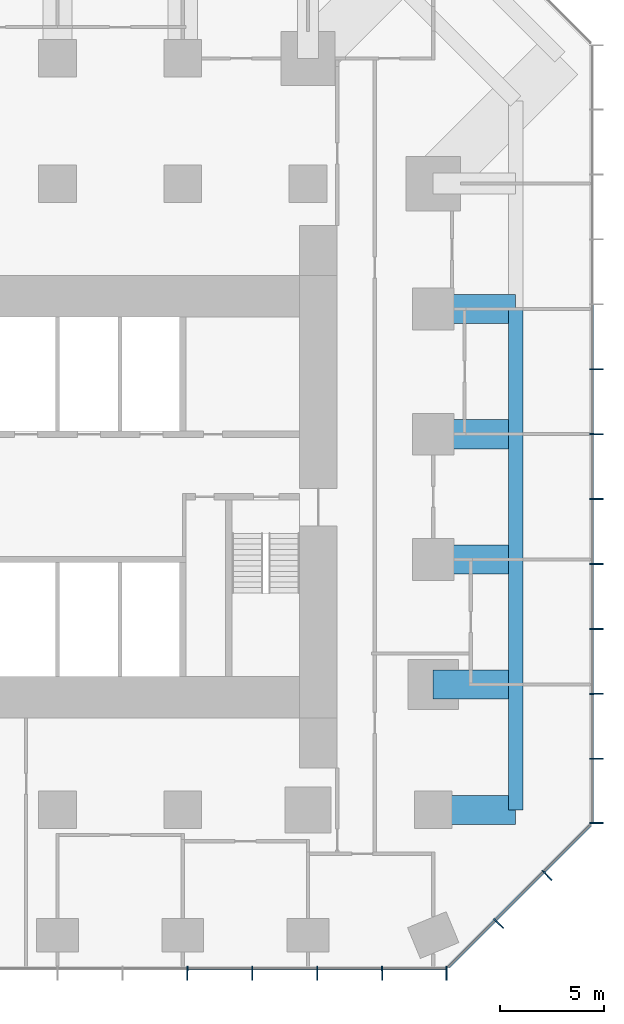
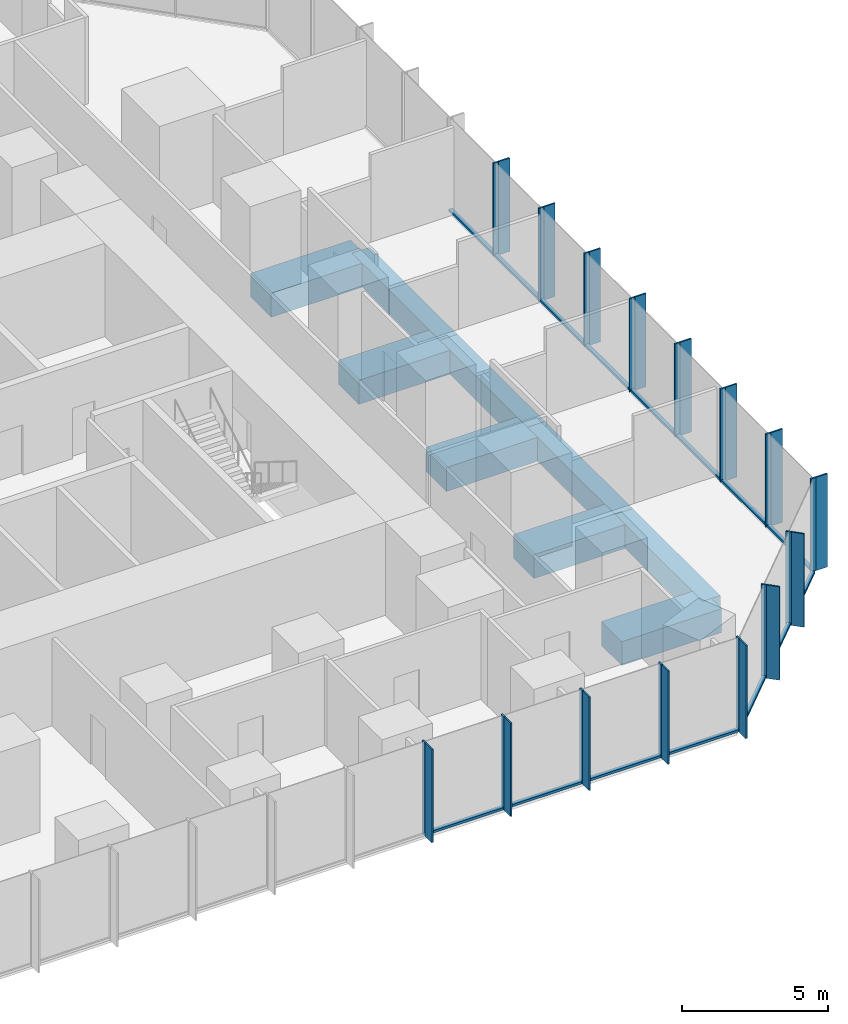
# One storey, part 4 of 12: 45 members, 9 beams, 3 elements without a shape of their own.
"""IFC4 building model written with IfcOpenShell, lengths in metres."""

from ifc_helpers import new_model, si_unit, direction, frame, origin, origin_2d, place, context, subcontext, project, spatial, rectangle, extrude, material, layer, layer_set, material_profile, profile_set, type_object, element, aggregate, save


model = new_model("IFC4")

# Units and contexts
model_context = context("Model", 3, precision=1e-05, world=origin(), true_north=direction((0.0, 1.0)))
body_context = subcontext(model_context, "Body", "Model", "MODEL_VIEW")
ifc_project = project(units=[si_unit("LENGTHUNIT", "METRE"), si_unit("AREAUNIT", "SQUARE_METRE"), si_unit("VOLUMEUNIT", "CUBIC_METRE"), si_unit("PLANEANGLEUNIT", "RADIAN"), si_unit("MASSUNIT", "GRAM", prefix="KILO")], contexts=[model_context])

# Site, building, storey
site_placement = place(None, origin())
site = spatial("IfcSite", under=ifc_project, at=site_placement, CompositionType="ELEMENT")
building_placement = place(site_placement, origin())
building = spatial("IfcBuilding", under=site, at=building_placement, Name="Highveld Stack Headquarters", CompositionType="ELEMENT")
storey_placement = place(building_placement, frame((0.0, 0.0, 76.699951171875)))
storey = spatial("IfcBuildingStorey", under=building, at=storey_placement, Name="L18", CompositionType="ELEMENT", Elevation=76.699951171875)

# Beams
ifc_material_1 = material(Name="Concrete C60/75", Category="concrete")
ifc_material_profile_1 = material_profile(ifc_material_1, rectangle(XDim=1.39990234375, YDim=1.0, at=origin_2d()), Name="RC 1400x1000")
ifc_profile_set_1 = profile_set([ifc_material_profile_1], Name="Concrete C60/75")
beam_type_1 = type_object("IfcBeamType", Name="CANTILEVER RIB RC 1400x1000", PredefinedType="USERDEFINED", material=ifc_profile_set_1)
for number, where, z_axis, x_axis, name in (
    (1, (24.0, -12.0, -0.75), (1.0, 0.0, 0.0), (0.0, 1.0, 0.0), "Cantilever rib 10/C L18"),
    (2, (24.0, -6.0, -0.75), (1.0, 0.0, 0.0), (0.0, 1.0, 0.0), "Cantilever rib 10/D L18"),
    (3, (24.0, 0.0, -0.75), (1.0, 0.0, 0.0), (0.0, 1.0, 0.0), "Cantilever rib 10/E L18"),
    (4, (24.0, 6.0, -0.75), (1.0, 0.0, 0.0), (0.0, 1.0, 0.0), "Cantilever rib 10/F L18"),
    (5, (24.0, 12.0, -0.75), (1.0, 0.0, 0.0), (0.0, 1.0, 0.0), "Cantilever rib 10/G L18"),
):
    element("IfcBeam", number, at=place(storey_placement, frame(where, z_axis=z_axis, x_axis=x_axis)), inside=storey, type_object=beam_type_1, Name=name, ObjectType="CANTILEVER RIB", PredefinedType="USERDEFINED", context=body_context, shape_type="SweptSolid", body=[
        extrude(rectangle(XDim=1.39990234375, YDim=1.0, at=origin_2d()), origin(), (0.0, 0.0, 1.0), 3.949951171875),
    ])

# Curtain wall, members
ifc_material_2 = material(Name="Aluminium bronze anodised", Category="aluminium")
ifc_layer_1 = layer(ifc_material_2, 0.199951171875)
ifc_layer_set_1 = layer_set([ifc_layer_1], Name="Aluminium bronze anodised")
curtain_wall_type_1 = type_object("IfcCurtainWallType", Name="CW1 TOWER UNITISED CURTAIN WALL", PredefinedType="NOTDEFINED", material=ifc_layer_set_1)
curtain_wall_1_placement = place(storey_placement, origin())
curtain_wall_1 = element("IfcCurtainWall", 6, at=curtain_wall_1_placement, inside=storey, type_object=curtain_wall_type_1, Name="Curtain wall CW1 L18 S", PredefinedType="NOTDEFINED")
ifc_material_3 = material(Name="Aluminium bronze anodised", Category="aluminium")
ifc_material_profile_2 = material_profile(ifc_material_3, rectangle(XDim=0.449951171875, YDim=0.06005859375, at=origin_2d()), Name="FIN 450x60")
ifc_profile_set_2 = profile_set([ifc_material_profile_2], Name="Aluminium bronze anodised")
member_type_1 = type_object("IfcMemberType", Name="CW1 BRONZE FIN 450x60", PredefinedType="USERDEFINED", material=ifc_profile_set_2)
member_1_placement = place(storey_placement, frame((12.220947265625, -19.925048828125, 0.0), z_axis=(0.0, 0.0, 1.0), x_axis=(0.0, 1.0, 0.0)))
member_1 = element("IfcMember", 7, at=member_1_placement, type_object=member_type_1, Name="CW1 fin L18 9", ObjectType="FIN", PredefinedType="USERDEFINED", context=body_context, shape_type="SweptSolid", body=[
    extrude(rectangle(XDim=0.449951171875, YDim=0.06005859375, at=origin_2d()), origin(), (0.0, 0.0, 1.0), 3.900146484375),
])
member_2_placement = place(storey_placement, frame((15.331298828125, -19.925048828125, 0.0), z_axis=(0.0, 0.0, 1.0), x_axis=(0.0, 1.0, 0.0)))
member_2 = element("IfcMember", 8, at=member_2_placement, type_object=member_type_1, Name="CW1 fin L18 10", ObjectType="FIN", PredefinedType="USERDEFINED", context=body_context, shape_type="SweptSolid", body=[
    extrude(rectangle(XDim=0.449951171875, YDim=0.06005859375, at=origin_2d()), origin(), (0.0, 0.0, 1.0), 3.900146484375),
])
member_3_placement = place(storey_placement, frame((18.44189453125, -19.925048828125, 0.0), z_axis=(0.0, 0.0, 1.0), x_axis=(0.0, 1.0, 0.0)))
member_3 = element("IfcMember", 9, at=member_3_placement, type_object=member_type_1, Name="CW1 fin L18 11", ObjectType="FIN", PredefinedType="USERDEFINED", context=body_context, shape_type="SweptSolid", body=[
    extrude(rectangle(XDim=0.449951171875, YDim=0.06005859375, at=origin_2d()), origin(), (0.0, 0.0, 1.0), 3.900146484375),
])
member_4_placement = place(storey_placement, frame((21.55224609375, -19.925048828125, 0.0), z_axis=(0.0, 0.0, 1.0), x_axis=(0.0, 1.0, 0.0)))
member_4 = element("IfcMember", 10, at=member_4_placement, type_object=member_type_1, Name="CW1 fin L18 12", ObjectType="FIN", PredefinedType="USERDEFINED", context=body_context, shape_type="SweptSolid", body=[
    extrude(rectangle(XDim=0.449951171875, YDim=0.06005859375, at=origin_2d()), origin(), (0.0, 0.0, 1.0), 3.900146484375),
])
member_5_placement = place(storey_placement, frame((24.630126953125, -19.925048828125, 0.0), z_axis=(0.0, 0.0, 1.0), x_axis=(0.0, 1.0, 0.0)))
member_5 = element("IfcMember", 11, at=member_5_placement, type_object=member_type_1, Name="CW1 fin L18 13", ObjectType="FIN", PredefinedType="USERDEFINED", context=body_context, shape_type="SweptSolid", body=[
    extrude(rectangle(XDim=0.449951171875, YDim=0.06005859375, at=origin_2d()), origin(), (0.0, 0.0, 1.0), 3.900146484375),
])

curtain_wall_2_placement = place(storey_placement, origin())
curtain_wall_2 = element("IfcCurtainWall", 12, at=curtain_wall_2_placement, inside=storey, type_object=curtain_wall_type_1, Name="Curtain wall CW1 L18 E", PredefinedType="NOTDEFINED")
member_6_placement = place(storey_placement, frame((31.925048828125, -12.630126953125, 0.0), z_axis=(0.0, 0.0, 1.0), x_axis=(-1.0, 0.0, 0.0)))
member_6 = element("IfcMember", 13, at=member_6_placement, type_object=member_type_1, Name="CW1 fin L18 1", ObjectType="FIN", PredefinedType="USERDEFINED", context=body_context, shape_type="SweptSolid", body=[
    extrude(rectangle(XDim=0.449951171875, YDim=0.06005859375, at=origin_2d()), origin(), (0.0, 0.0, 1.0), 3.900146484375),
])
member_7_placement = place(storey_placement, frame((31.925048828125, -9.55224609375, 0.0), z_axis=(0.0, 0.0, 1.0), x_axis=(-1.0, 0.0, 0.0)))
member_7 = element("IfcMember", 14, at=member_7_placement, type_object=member_type_1, Name="CW1 fin L18 2", ObjectType="FIN", PredefinedType="USERDEFINED", context=body_context, shape_type="SweptSolid", body=[
    extrude(rectangle(XDim=0.449951171875, YDim=0.06005859375, at=origin_2d()), origin(), (0.0, 0.0, 1.0), 3.900146484375),
])
member_8_placement = place(storey_placement, frame((31.925048828125, -6.44189453125, 0.0), z_axis=(0.0, 0.0, 1.0), x_axis=(-1.0, 0.0, 0.0)))
member_8 = element("IfcMember", 15, at=member_8_placement, type_object=member_type_1, Name="CW1 fin L18 3", ObjectType="FIN", PredefinedType="USERDEFINED", context=body_context, shape_type="SweptSolid", body=[
    extrude(rectangle(XDim=0.449951171875, YDim=0.06005859375, at=origin_2d()), origin(), (0.0, 0.0, 1.0), 3.900146484375),
])
member_9_placement = place(storey_placement, frame((31.925048828125, -3.331298828125, 0.0), z_axis=(0.0, 0.0, 1.0), x_axis=(-1.0, 0.0, 0.0)))
member_9 = element("IfcMember", 16, at=member_9_placement, type_object=member_type_1, Name="CW1 fin L18 4", ObjectType="FIN", PredefinedType="USERDEFINED", context=body_context, shape_type="SweptSolid", body=[
    extrude(rectangle(XDim=0.449951171875, YDim=0.06005859375, at=origin_2d()), origin(), (0.0, 0.0, 1.0), 3.900146484375),
])
member_10_placement = place(storey_placement, frame((31.925048828125, -0.220947265625, 0.0), z_axis=(0.0, 0.0, 1.0), x_axis=(-1.0, 0.0, 0.0)))
member_10 = element("IfcMember", 17, at=member_10_placement, type_object=member_type_1, Name="CW1 fin L18 5", ObjectType="FIN", PredefinedType="USERDEFINED", context=body_context, shape_type="SweptSolid", body=[
    extrude(rectangle(XDim=0.449951171875, YDim=0.06005859375, at=origin_2d()), origin(), (0.0, 0.0, 1.0), 3.900146484375),
])
member_11_placement = place(storey_placement, frame((31.925048828125, 2.8896484375, 0.0), z_axis=(0.0, 0.0, 1.0), x_axis=(-1.0, 0.0, 0.0)))
member_11 = element("IfcMember", 18, at=member_11_placement, type_object=member_type_1, Name="CW1 fin L18 6", ObjectType="FIN", PredefinedType="USERDEFINED", context=body_context, shape_type="SweptSolid", body=[
    extrude(rectangle(XDim=0.449951171875, YDim=0.06005859375, at=origin_2d()), origin(), (0.0, 0.0, 1.0), 3.900146484375),
])
member_12_placement = place(storey_placement, frame((31.925048828125, 6.0, 0.0), z_axis=(0.0, 0.0, 1.0), x_axis=(-1.0, 0.0, 0.0)))
member_12 = element("IfcMember", 19, at=member_12_placement, type_object=member_type_1, Name="CW1 fin L18 7", ObjectType="FIN", PredefinedType="USERDEFINED", context=body_context, shape_type="SweptSolid", body=[
    extrude(rectangle(XDim=0.449951171875, YDim=0.06005859375, at=origin_2d()), origin(), (0.0, 0.0, 1.0), 3.900146484375),
])
member_13_placement = place(storey_placement, frame((31.925048828125, 9.110595703125, 0.0), z_axis=(0.0, 0.0, 1.0), x_axis=(-1.0, 0.0, 0.0)))
member_13 = element("IfcMember", 20, at=member_13_placement, type_object=member_type_1, Name="CW1 fin L18 8", ObjectType="FIN", PredefinedType="USERDEFINED", context=body_context, shape_type="SweptSolid", body=[
    extrude(rectangle(XDim=0.449951171875, YDim=0.06005859375, at=origin_2d()), origin(), (0.0, 0.0, 1.0), 3.900146484375),
])

# Member
ifc_material_4 = material(Name="Aluminium bronze anodised", Category="aluminium")
ifc_material_profile_3 = material_profile(ifc_material_4, rectangle(XDim=0.199951171875, YDim=0.06494140625, at=origin_2d()), Name="CW1 MULLION 65x200")
ifc_profile_set_3 = profile_set([ifc_material_profile_3], Name="Aluminium bronze anodised")
member_type_2 = type_object("IfcMemberType", Name="CW1 MULLION 65x200", PredefinedType="MULLION", material=ifc_profile_set_3)
member_14_placement = place(storey_placement, frame((12.220947265625, -19.60009765625, 0.0), z_axis=(0.0, 0.0, 1.0), x_axis=(0.0, 1.0, 0.0)))
member_14 = element("IfcMember", 21, at=member_14_placement, type_object=member_type_2, Name="CW1 mullion L18 9", PredefinedType="MULLION", context=body_context, shape_type="SweptSolid", body=[
    extrude(rectangle(XDim=0.199951171875, YDim=0.06494140625, at=origin_2d()), origin(), (0.0, 0.0, 1.0), 3.900146484375),
])

member_15_placement = place(storey_placement, frame((15.331298828125, -19.60009765625, 0.0), z_axis=(0.0, 0.0, 1.0), x_axis=(0.0, 1.0, 0.0)))
member_15 = element("IfcMember", 22, at=member_15_placement, type_object=member_type_2, Name="CW1 mullion L18 10", PredefinedType="MULLION", context=body_context, shape_type="SweptSolid", body=[
    extrude(rectangle(XDim=0.199951171875, YDim=0.06494140625, at=origin_2d()), origin(), (0.0, 0.0, 1.0), 3.900146484375),
])

member_16_placement = place(storey_placement, frame((18.44189453125, -19.60009765625, 0.0), z_axis=(0.0, 0.0, 1.0), x_axis=(0.0, 1.0, 0.0)))
member_16 = element("IfcMember", 23, at=member_16_placement, type_object=member_type_2, Name="CW1 mullion L18 11", PredefinedType="MULLION", context=body_context, shape_type="SweptSolid", body=[
    extrude(rectangle(XDim=0.199951171875, YDim=0.06494140625, at=origin_2d()), origin(), (0.0, 0.0, 1.0), 3.900146484375),
])

member_17_placement = place(storey_placement, frame((21.55224609375, -19.60009765625, 0.0), z_axis=(0.0, 0.0, 1.0), x_axis=(0.0, 1.0, 0.0)))
member_17 = element("IfcMember", 24, at=member_17_placement, type_object=member_type_2, Name="CW1 mullion L18 12", PredefinedType="MULLION", context=body_context, shape_type="SweptSolid", body=[
    extrude(rectangle(XDim=0.199951171875, YDim=0.06494140625, at=origin_2d()), origin(), (0.0, 0.0, 1.0), 3.900146484375),
])

member_18_placement = place(storey_placement, frame((24.630126953125, -19.60009765625, 0.0), z_axis=(0.0, 0.0, 1.0), x_axis=(0.0, 1.0, 0.0)))
member_18 = element("IfcMember", 25, at=member_18_placement, type_object=member_type_2, Name="CW1 mullion L18 13", PredefinedType="MULLION", context=body_context, shape_type="SweptSolid", body=[
    extrude(rectangle(XDim=0.199951171875, YDim=0.06494140625, at=origin_2d()), origin(), (0.0, 0.0, 1.0), 3.900146484375),
])

member_19_placement = place(storey_placement, frame((31.60009765625, -12.630126953125, 0.0), z_axis=(0.0, 0.0, 1.0), x_axis=(-1.0, 0.0, 0.0)))
member_19 = element("IfcMember", 26, at=member_19_placement, type_object=member_type_2, Name="CW1 mullion L18 1", PredefinedType="MULLION", context=body_context, shape_type="SweptSolid", body=[
    extrude(rectangle(XDim=0.199951171875, YDim=0.06494140625, at=origin_2d()), origin(), (0.0, 0.0, 1.0), 3.900146484375),
])

member_20_placement = place(storey_placement, frame((31.60009765625, -9.55224609375, 0.0), z_axis=(0.0, 0.0, 1.0), x_axis=(-1.0, 0.0, 0.0)))
member_20 = element("IfcMember", 27, at=member_20_placement, type_object=member_type_2, Name="CW1 mullion L18 2", PredefinedType="MULLION", context=body_context, shape_type="SweptSolid", body=[
    extrude(rectangle(XDim=0.199951171875, YDim=0.06494140625, at=origin_2d()), origin(), (0.0, 0.0, 1.0), 3.900146484375),
])

member_21_placement = place(storey_placement, frame((31.60009765625, -6.44189453125, 0.0), z_axis=(0.0, 0.0, 1.0), x_axis=(-1.0, 0.0, 0.0)))
member_21 = element("IfcMember", 28, at=member_21_placement, type_object=member_type_2, Name="CW1 mullion L18 3", PredefinedType="MULLION", context=body_context, shape_type="SweptSolid", body=[
    extrude(rectangle(XDim=0.199951171875, YDim=0.06494140625, at=origin_2d()), origin(), (0.0, 0.0, 1.0), 3.900146484375),
])

member_22_placement = place(storey_placement, frame((31.60009765625, -3.331298828125, 0.0), z_axis=(0.0, 0.0, 1.0), x_axis=(-1.0, 0.0, 0.0)))
member_22 = element("IfcMember", 29, at=member_22_placement, type_object=member_type_2, Name="CW1 mullion L18 4", PredefinedType="MULLION", context=body_context, shape_type="SweptSolid", body=[
    extrude(rectangle(XDim=0.199951171875, YDim=0.06494140625, at=origin_2d()), origin(), (0.0, 0.0, 1.0), 3.900146484375),
])

member_23_placement = place(storey_placement, frame((31.60009765625, -0.220947265625, 0.0), z_axis=(0.0, 0.0, 1.0), x_axis=(-1.0, 0.0, 0.0)))
member_23 = element("IfcMember", 30, at=member_23_placement, type_object=member_type_2, Name="CW1 mullion L18 5", PredefinedType="MULLION", context=body_context, shape_type="SweptSolid", body=[
    extrude(rectangle(XDim=0.199951171875, YDim=0.06494140625, at=origin_2d()), origin(), (0.0, 0.0, 1.0), 3.900146484375),
])

member_24_placement = place(storey_placement, frame((31.60009765625, 2.8896484375, 0.0), z_axis=(0.0, 0.0, 1.0), x_axis=(-1.0, 0.0, 0.0)))
member_24 = element("IfcMember", 31, at=member_24_placement, type_object=member_type_2, Name="CW1 mullion L18 6", PredefinedType="MULLION", context=body_context, shape_type="SweptSolid", body=[
    extrude(rectangle(XDim=0.199951171875, YDim=0.06494140625, at=origin_2d()), origin(), (0.0, 0.0, 1.0), 3.900146484375),
])

member_25_placement = place(storey_placement, frame((31.60009765625, 6.0, 0.0), z_axis=(0.0, 0.0, 1.0), x_axis=(-1.0, 0.0, 0.0)))
member_25 = element("IfcMember", 32, at=member_25_placement, type_object=member_type_2, Name="CW1 mullion L18 7", PredefinedType="MULLION", context=body_context, shape_type="SweptSolid", body=[
    extrude(rectangle(XDim=0.199951171875, YDim=0.06494140625, at=origin_2d()), origin(), (0.0, 0.0, 1.0), 3.900146484375),
])

member_26_placement = place(storey_placement, frame((31.60009765625, 9.110595703125, 0.0), z_axis=(0.0, 0.0, 1.0), x_axis=(-1.0, 0.0, 0.0)))
member_26 = element("IfcMember", 33, at=member_26_placement, type_object=member_type_2, Name="CW1 mullion L18 8", PredefinedType="MULLION", context=body_context, shape_type="SweptSolid", body=[
    extrude(rectangle(XDim=0.199951171875, YDim=0.06494140625, at=origin_2d()), origin(), (0.0, 0.0, 1.0), 3.900146484375),
])

ifc_material_5 = material(Name="Aluminium bronze anodised", Category="aluminium")
ifc_material_profile_4 = material_profile(ifc_material_5, rectangle(XDim=0.14990234375, YDim=0.10009765625, at=origin_2d()), Name="CW1 TRANSOM 150x100")
ifc_profile_set_4 = profile_set([ifc_material_profile_4], Name="Aluminium bronze anodised")
member_type_3 = type_object("IfcMemberType", Name="CW1 STACK TRANSOM 150x100", PredefinedType="USERDEFINED", material=ifc_profile_set_4)
member_27_placement = place(storey_placement, frame((12.25341796875, -19.60009765625, 0.050048828125), z_axis=(1.0, 0.0, 0.0), x_axis=(0.0, 1.0, 0.0)))
member_27 = element("IfcMember", 34, at=member_27_placement, type_object=member_type_3, Name="CW1 transom L18 9.1", ObjectType="TRANSOM", PredefinedType="USERDEFINED", context=body_context, shape_type="SweptSolid", body=[
    extrude(rectangle(XDim=0.14990234375, YDim=0.10009765625, at=origin_2d()), origin(), (0.0, 0.0, 1.0), 3.04541015625),
])

member_28_placement = place(storey_placement, frame((15.364013671875, -19.60009765625, 0.050048828125), z_axis=(1.0, 0.0, 0.0), x_axis=(0.0, 1.0, 0.0)))
member_28 = element("IfcMember", 35, at=member_28_placement, type_object=member_type_3, Name="CW1 transom L18 10.1", ObjectType="TRANSOM", PredefinedType="USERDEFINED", context=body_context, shape_type="SweptSolid", body=[
    extrude(rectangle(XDim=0.14990234375, YDim=0.10009765625, at=origin_2d()), origin(), (0.0, 0.0, 1.0), 3.045166015625),
])

member_29_placement = place(storey_placement, frame((18.474365234375, -19.60009765625, 0.050048828125), z_axis=(1.0, 0.0, 0.0), x_axis=(0.0, 1.0, 0.0)))
member_29 = element("IfcMember", 36, at=member_29_placement, type_object=member_type_3, Name="CW1 transom L18 11.1", ObjectType="TRANSOM", PredefinedType="USERDEFINED", context=body_context, shape_type="SweptSolid", body=[
    extrude(rectangle(XDim=0.14990234375, YDim=0.10009765625, at=origin_2d()), origin(), (0.0, 0.0, 1.0), 3.04541015625),
])

member_30_placement = place(storey_placement, frame((21.584716796875, -19.60009765625, 0.050048828125), z_axis=(1.0, 0.0, 0.0), x_axis=(0.0, 1.0, 0.0)))
member_30 = element("IfcMember", 37, at=member_30_placement, type_object=member_type_3, Name="CW1 transom L18 12.1", ObjectType="TRANSOM", PredefinedType="USERDEFINED", context=body_context, shape_type="SweptSolid", body=[
    extrude(rectangle(XDim=0.14990234375, YDim=0.10009765625, at=origin_2d()), origin(), (0.0, 0.0, 1.0), 3.012939453125),
])

aggregate(curtain_wall_1, [member_14, member_1, member_15, member_2, member_16, member_3, member_17, member_4, member_18, member_5, member_27, member_28, member_29, member_30])

member_31_placement = place(storey_placement, frame((31.60009765625, -12.59765625, 0.050048828125), z_axis=(0.0, 1.0, 0.0), x_axis=(-1.0, 0.0, 0.0)))
member_31 = element("IfcMember", 38, at=member_31_placement, type_object=member_type_3, Name="CW1 transom L18 1.1", ObjectType="TRANSOM", PredefinedType="USERDEFINED", context=body_context, shape_type="SweptSolid", body=[
    extrude(rectangle(XDim=0.14990234375, YDim=0.10009765625, at=origin_2d()), origin(), (0.0, 0.0, 1.0), 3.012939453125),
])

member_32_placement = place(storey_placement, frame((31.60009765625, -9.519775390625, 0.050048828125), z_axis=(0.0, 1.0, 0.0), x_axis=(-1.0, 0.0, 0.0)))
member_32 = element("IfcMember", 39, at=member_32_placement, type_object=member_type_3, Name="CW1 transom L18 2.1", ObjectType="TRANSOM", PredefinedType="USERDEFINED", context=body_context, shape_type="SweptSolid", body=[
    extrude(rectangle(XDim=0.14990234375, YDim=0.10009765625, at=origin_2d()), origin(), (0.0, 0.0, 1.0), 3.04541015625),
])

member_33_placement = place(storey_placement, frame((31.60009765625, -6.4091796875, 0.050048828125), z_axis=(0.0, 1.0, 0.0), x_axis=(-1.0, 0.0, 0.0)))
member_33 = element("IfcMember", 40, at=member_33_placement, type_object=member_type_3, Name="CW1 transom L18 3.1", ObjectType="TRANSOM", PredefinedType="USERDEFINED", context=body_context, shape_type="SweptSolid", body=[
    extrude(rectangle(XDim=0.14990234375, YDim=0.10009765625, at=origin_2d()), origin(), (0.0, 0.0, 1.0), 3.04541015625),
])

member_34_placement = place(storey_placement, frame((31.60009765625, -3.298828125, 0.050048828125), z_axis=(0.0, 1.0, 0.0), x_axis=(-1.0, 0.0, 0.0)))
member_34 = element("IfcMember", 41, at=member_34_placement, type_object=member_type_3, Name="CW1 transom L18 4.1", ObjectType="TRANSOM", PredefinedType="USERDEFINED", context=body_context, shape_type="SweptSolid", body=[
    extrude(rectangle(XDim=0.14990234375, YDim=0.10009765625, at=origin_2d()), origin(), (0.0, 0.0, 1.0), 3.04541015625),
])

member_35_placement = place(storey_placement, frame((31.60009765625, -0.1884765625, 0.050048828125), z_axis=(0.0, 1.0, 0.0), x_axis=(-1.0, 0.0, 0.0)))
member_35 = element("IfcMember", 42, at=member_35_placement, type_object=member_type_3, Name="CW1 transom L18 5.1", ObjectType="TRANSOM", PredefinedType="USERDEFINED", context=body_context, shape_type="SweptSolid", body=[
    extrude(rectangle(XDim=0.14990234375, YDim=0.10009765625, at=origin_2d()), origin(), (0.0, 0.0, 1.0), 3.045654296875),
])

member_36_placement = place(storey_placement, frame((31.60009765625, 2.922119140625, 0.050048828125), z_axis=(0.0, 1.0, 0.0), x_axis=(-1.0, 0.0, 0.0)))
member_36 = element("IfcMember", 43, at=member_36_placement, type_object=member_type_3, Name="CW1 transom L18 6.1", ObjectType="TRANSOM", PredefinedType="USERDEFINED", context=body_context, shape_type="SweptSolid", body=[
    extrude(rectangle(XDim=0.14990234375, YDim=0.10009765625, at=origin_2d()), origin(), (0.0, 0.0, 1.0), 3.04541015625),
])

member_37_placement = place(storey_placement, frame((31.60009765625, 6.032470703125, 0.050048828125), z_axis=(0.0, 1.0, 0.0), x_axis=(-1.0, 0.0, 0.0)))
member_37 = element("IfcMember", 44, at=member_37_placement, type_object=member_type_3, Name="CW1 transom L18 7.1", ObjectType="TRANSOM", PredefinedType="USERDEFINED", context=body_context, shape_type="SweptSolid", body=[
    extrude(rectangle(XDim=0.14990234375, YDim=0.10009765625, at=origin_2d()), origin(), (0.0, 0.0, 1.0), 3.04541015625),
])

member_38_placement = place(storey_placement, frame((31.60009765625, 9.14306640625, 0.050048828125), z_axis=(0.0, 1.0, 0.0), x_axis=(-1.0, 0.0, 0.0)))
member_38 = element("IfcMember", 45, at=member_38_placement, type_object=member_type_3, Name="CW1 transom L18 8.1", ObjectType="TRANSOM", PredefinedType="USERDEFINED", context=body_context, shape_type="SweptSolid", body=[
    extrude(rectangle(XDim=0.14990234375, YDim=0.10009765625, at=origin_2d()), origin(), (0.0, 0.0, 1.0), 3.04541015625),
])

aggregate(curtain_wall_2, [member_19, member_6, member_20, member_7, member_21, member_8, member_22, member_9, member_23, member_10, member_24, member_11, member_25, member_12, member_26, member_13, member_31, member_32, member_33, member_34, member_35, member_36, member_37, member_38])

# Curtain wall, members
ifc_material_6 = material(Name="Aluminium bronze anodised", Category="aluminium")
ifc_layer_2 = layer(ifc_material_6, 0.199951171875)
ifc_layer_set_2 = layer_set([ifc_layer_2], Name="Aluminium bronze anodised")
curtain_wall_type_2 = type_object("IfcCurtainWallType", Name="CW2 TOWER CHAMFER UNITISED CURTAIN WALL", PredefinedType="NOTDEFINED", material=ifc_layer_set_2)
curtain_wall_3_placement = place(storey_placement, origin())
curtain_wall_3 = element("IfcCurtainWall", 46, at=curtain_wall_3_placement, inside=storey, type_object=curtain_wall_type_2, Name="Curtain wall CW2 L18 SE", PredefinedType="NOTDEFINED")
ifc_material_7 = material(Name="Aluminium bronze anodised", Category="aluminium")
ifc_material_profile_5 = material_profile(ifc_material_7, rectangle(XDim=0.449951171875, YDim=0.06005859375, at=origin_2d()), Name="FIN 450x60")
ifc_profile_set_5 = profile_set([ifc_material_profile_5], Name="Aluminium bronze anodised")
member_type_4 = type_object("IfcMemberType", Name="CW2 BRONZE FIN 450x60", PredefinedType="USERDEFINED", material=ifc_profile_set_5)
member_39_placement = place(storey_placement, frame((27.204833984375, -17.517333984375, 0.0), z_axis=(0.0, 0.0, 1.0), x_axis=(-0.707106781187, 0.707106781187, 0.0)))
member_39 = element("IfcMember", 47, at=member_39_placement, type_object=member_type_4, Name="CW2 fin L18 1", ObjectType="FIN", PredefinedType="USERDEFINED", context=body_context, shape_type="SweptSolid", body=[
    extrude(rectangle(XDim=0.449951171875, YDim=0.06005859375, at=origin_2d()), origin(), (0.0, 0.0, 1.0), 3.900146484375),
])
member_40_placement = place(storey_placement, frame((29.517333984375, -15.204833984375, 0.0), z_axis=(0.0, 0.0, 1.0), x_axis=(-0.707106781187, 0.707106781187, 0.0)))
member_40 = element("IfcMember", 48, at=member_40_placement, type_object=member_type_4, Name="CW2 fin L18 2", ObjectType="FIN", PredefinedType="USERDEFINED", context=body_context, shape_type="SweptSolid", body=[
    extrude(rectangle(XDim=0.449951171875, YDim=0.06005859375, at=origin_2d()), origin(), (0.0, 0.0, 1.0), 3.900146484375),
])
ifc_material_8 = material(Name="Aluminium bronze anodised", Category="aluminium")
ifc_material_profile_6 = material_profile(ifc_material_8, rectangle(XDim=0.199951171875, YDim=0.06494140625, at=origin_2d()), Name="CW2 MULLION 65x200")
ifc_profile_set_6 = profile_set([ifc_material_profile_6], Name="Aluminium bronze anodised")
member_type_5 = type_object("IfcMemberType", Name="CW2 MULLION 65x200", PredefinedType="MULLION", material=ifc_profile_set_6)
member_41_placement = place(storey_placement, frame((26.97509765625, -17.28759765625, 0.0), z_axis=(0.0, 0.0, 1.0), x_axis=(-0.707106781187, 0.707106781187, 0.0)))
member_41 = element("IfcMember", 49, at=member_41_placement, type_object=member_type_5, Name="CW2 mullion L18 1", PredefinedType="MULLION", context=body_context, shape_type="SweptSolid", body=[
    extrude(rectangle(XDim=0.199951171875, YDim=0.06494140625, at=origin_2d()), origin(), (0.0, 0.0, 1.0), 3.900146484375),
])
member_42_placement = place(storey_placement, frame((29.28759765625, -14.97509765625, 0.0), z_axis=(0.0, 0.0, 1.0), x_axis=(-0.707106781187, 0.707106781187, 0.0)))
member_42 = element("IfcMember", 50, at=member_42_placement, type_object=member_type_5, Name="CW2 mullion L18 2", PredefinedType="MULLION", context=body_context, shape_type="SweptSolid", body=[
    extrude(rectangle(XDim=0.199951171875, YDim=0.06494140625, at=origin_2d()), origin(), (0.0, 0.0, 1.0), 3.900146484375),
])
ifc_material_9 = material(Name="Aluminium bronze anodised", Category="aluminium")
ifc_material_profile_7 = material_profile(ifc_material_9, rectangle(XDim=0.14990234375, YDim=0.10009765625, at=origin_2d()), Name="CW2 TRANSOM 150x100")
ifc_profile_set_7 = profile_set([ifc_material_profile_7], Name="Aluminium bronze anodised")
member_type_6 = type_object("IfcMemberType", Name="CW2 STACK TRANSOM 150x100", PredefinedType="USERDEFINED", material=ifc_profile_set_7)
member_43_placement = place(storey_placement, frame((24.7333984375, -19.529296875, 0.050048828125), z_axis=(0.707106781187, 0.707106781187, 0.0), x_axis=(-0.707106781187, 0.707106781187, 0.0)))
member_43 = element("IfcMember", 51, at=member_43_placement, type_object=member_type_6, Name="CW2 transom L18 1.1", ObjectType="TRANSOM", PredefinedType="USERDEFINED", context=body_context, shape_type="SweptSolid", body=[
    extrude(rectangle(XDim=0.14990234375, YDim=0.10009765625, at=origin_2d()), origin(), (0.0, 0.0, 1.0), 3.1376953125),
])
member_44_placement = place(storey_placement, frame((26.998046875, -17.2646484375, 0.050048828125), z_axis=(0.707106781187, 0.707106781187, 0.0), x_axis=(-0.707106781187, 0.707106781187, 0.0)))
member_44 = element("IfcMember", 52, at=member_44_placement, type_object=member_type_6, Name="CW2 transom L18 2.1", ObjectType="TRANSOM", PredefinedType="USERDEFINED", context=body_context, shape_type="SweptSolid", body=[
    extrude(rectangle(XDim=0.14990234375, YDim=0.10009765625, at=origin_2d()), origin(), (0.0, 0.0, 1.0), 3.20556640625),
])
member_45_placement = place(storey_placement, frame((29.310546875, -14.9521484375, 0.050048828125), z_axis=(0.707106781187, 0.707106781187, 0.0), x_axis=(-0.707106781187, 0.707106781187, 0.0)))
member_45 = element("IfcMember", 53, at=member_45_placement, type_object=member_type_6, Name="CW2 transom L18 3.1", ObjectType="TRANSOM", PredefinedType="USERDEFINED", context=body_context, shape_type="SweptSolid", body=[
    extrude(rectangle(XDim=0.14990234375, YDim=0.10009765625, at=origin_2d()), origin(), (0.0, 0.0, 1.0), 3.1376953125),
])
aggregate(curtain_wall_3, [member_41, member_39, member_42, member_40, member_43, member_44, member_45])

# Beams
ifc_material_10 = material(Name="Concrete C60/75", Category="concrete")
ifc_material_profile_8 = material_profile(ifc_material_10, rectangle(XDim=0.699951171875, YDim=1.0, at=origin_2d()), Name="RC 700x1000")
ifc_profile_set_8 = profile_set([ifc_material_profile_8], Name="Concrete C60/75")
beam_type_2 = type_object("IfcBeamType", Name="RIB TIP BEAM RC 700x1000", PredefinedType="SPANDREL", material=ifc_profile_set_8)
for number, where, z_axis, x_axis, name in (
    (54, (27.949951171875, -12.0, -0.75), (0.0, 1.0, 0.0), (-1.0, 0.0, 0.0), "Rib tip beam 10/C to 10/D L18"),
    (55, (27.949951171875, -6.0, -0.75), (0.0, 1.0, 0.0), (-1.0, 0.0, 0.0), "Rib tip beam 10/D to 10/E L18"),
    (56, (27.949951171875, 0.0, -0.75), (0.0, 1.0, 0.0), (-1.0, 0.0, 0.0), "Rib tip beam 10/E to 10/F L18"),
    (57, (27.949951171875, 6.0, -0.75), (0.0, 1.0, 0.0), (-1.0, 0.0, 0.0), "Rib tip beam 10/F to 10/G L18"),
):
    element("IfcBeam", number, at=place(storey_placement, frame(where, z_axis=z_axis, x_axis=x_axis)), inside=storey, type_object=beam_type_2, Name=name, PredefinedType="SPANDREL", context=body_context, shape_type="SweptSolid", body=[
        extrude(rectangle(XDim=0.699951171875, YDim=1.0, at=origin_2d()), origin(), (0.0, 0.0, 1.0), 6.0),
    ])

save(model, "model.ifc")
